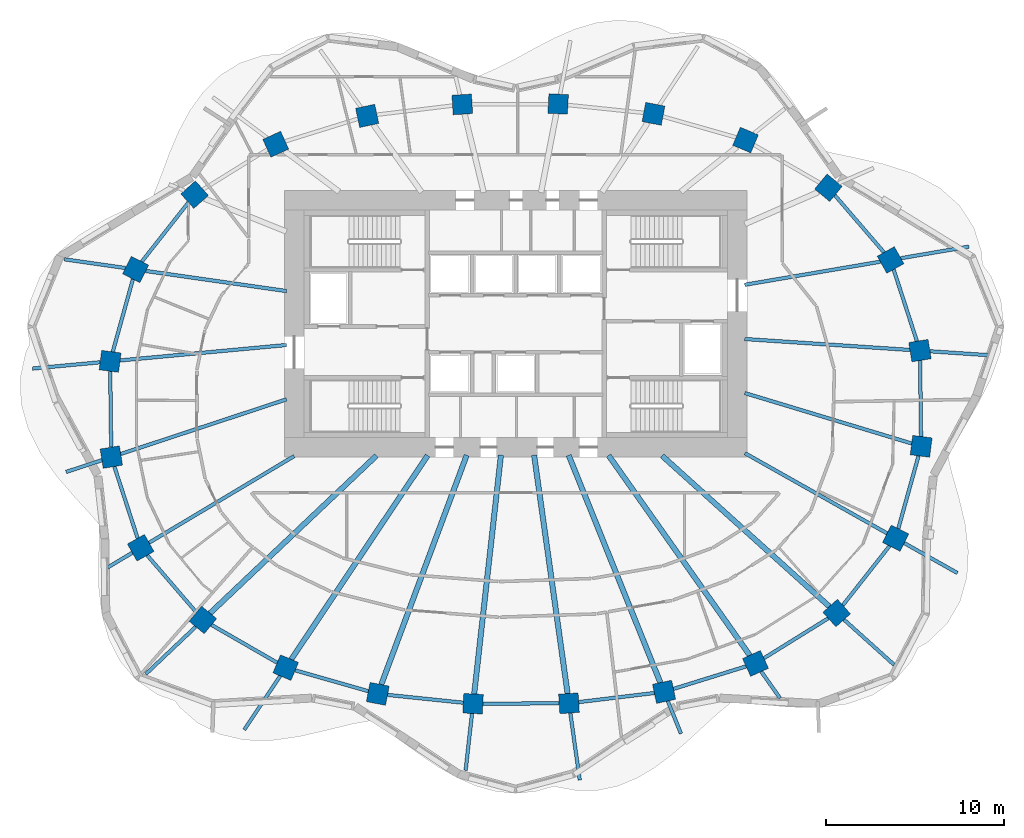
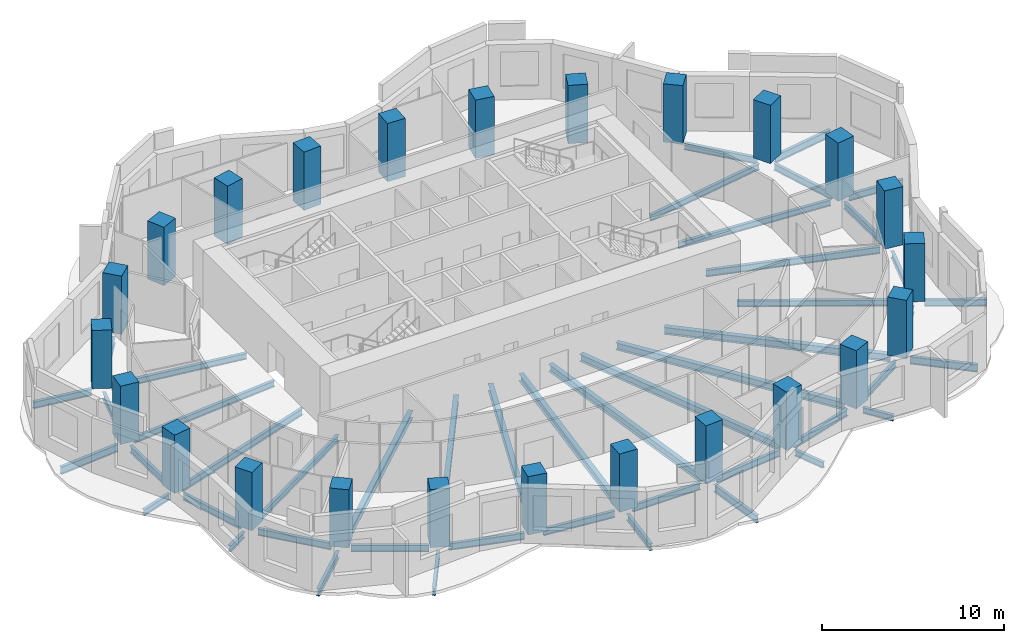
# One storey, part 1 of 10: 47 beams, 24 columns.
"""IFC4 building model written with IfcOpenShell, lengths in metres."""

from ifc_helpers import new_model, si_unit, direction, frame, origin, origin_2d, place, context, subcontext, project, spatial, rectangle, i_section, extrude, material, material_profile, profile_set, type_object, element, save


model = new_model("IFC4")

# Units and contexts
model_context = context("Model", 3, precision=1e-05, world=origin(), true_north=direction((0.0, 1.0)))
body_context = subcontext(model_context, "Body", "Model", "MODEL_VIEW")
ifc_project = project(units=[si_unit("LENGTHUNIT", "METRE"), si_unit("AREAUNIT", "SQUARE_METRE"), si_unit("VOLUMEUNIT", "CUBIC_METRE"), si_unit("PLANEANGLEUNIT", "RADIAN"), si_unit("MASSUNIT", "GRAM", prefix="KILO")], contexts=[model_context])

# Site, building, storey
site_placement = place(None, origin())
site = spatial("IfcSite", under=ifc_project, at=site_placement, CompositionType="ELEMENT")
building_placement = place(site_placement, origin())
building = spatial("IfcBuilding", under=site, at=building_placement, Name="Rubra Terraces Tower", CompositionType="ELEMENT")
storey_placement = place(building_placement, frame((0.0, 0.0, 157.800048828125)))
storey = spatial("IfcBuildingStorey", under=building, at=storey_placement, Name="L38", CompositionType="ELEMENT", Elevation=157.800048828125)

# Columns
ifc_material_1 = material(Name="Concrete C50", Category="concrete")
ifc_material_profile_1 = material_profile(ifc_material_1, rectangle(XDim=1.10009765625, YDim=1.10009765625, at=origin_2d()), Name="RC 1100x1100")
ifc_profile_set_1 = profile_set([ifc_material_profile_1], Name="Concrete C50")
column_type = type_object("IfcColumnType", Name="RING COLUMN RC 1100x1100 C50", PredefinedType="COLUMN", material=ifc_profile_set_1)
for number, where, z_axis, x_axis, name in (
    (1, (22.73388671875, 2.992919921875, 0.0), (0.0, 0.0, 1.0), (-0.162062155721, 0.986780551938, 0.0), "column-L38-ring-01"),
    (2, (21.0810546875, 8.090087890625, 0.0), (0.0, 0.0, 1.0), (-0.490161823029, 0.8716314515, 0.0), "column-L38-ring-02"),
    (3, (17.583984375, 12.15087890625, 0.0), (0.0, 0.0, 1.0), (-0.770679191336, 0.637223339216, 0.0), "column-L38-ring-03"),
    (4, (12.927001953125, 14.83203125, 0.0), (0.0, 0.0, 1.0), (-0.92110553102, 0.389312985558, 0.0), "column-L38-ring-04"),
    (5, (7.7509765625, 16.306884765625, 0.0), (0.0, 0.0, 1.0), (-0.981936574306, 0.189210369799, 0.0), "column-L38-ring-05"),
    (6, (2.39208984375, 16.862060546875, 0.0), (0.0, 0.0, 1.0), (-0.998791416829, 0.049149828786, 0.0), "column-L38-ring-06"),
    (7, (-2.9990234375, 16.8359375, 0.0), (0.0, 0.0, 1.0), (-0.998059443319, -0.062268351524, 0.0), "column-L38-ring-07"),
    (8, (-8.346923828125, 16.19189453125, 0.0), (0.0, 0.0, 1.0), (-0.977944102772, -0.208866780156, 0.0), "column-L38-ring-08"),
    (9, (-13.487060546875, 14.595947265625, 0.0), (0.0, 0.0, 1.0), (-0.90972649622, -0.415208022652, 0.0), "column-L38-ring-09"),
    (10, (-18.051025390625, 11.762939453125, 0.0), (0.0, 0.0, 1.0), (-0.7456420961, -0.66634665492, 0.0), "column-L38-ring-10"),
    (11, (-21.366943359375, 7.553955078125, 0.0), (0.0, 0.0, 1.0), (-0.452078869866, -0.891977968013, 0.0), "column-L38-ring-11"),
    (12, (-22.802001953125, 2.388916015625, 0.0), (0.0, 0.0, 1.0), (-0.128535191473, -0.991704948336, 0.0), "column-L38-ring-12"),
    (13, (-22.73388671875, -2.992919921875, 0.0), (0.0, 0.0, 1.0), (0.162062155721, -0.986780551938, 0.0), "column-L38-ring-13"),
    (14, (-21.0810546875, -8.090087890625, 0.0), (0.0, 0.0, 1.0), (0.490161823029, -0.8716314515, 0.0), "column-L38-ring-14"),
    (15, (-17.583984375, -12.15087890625, 0.0), (0.0, 0.0, 1.0), (0.770679191336, -0.637223339216, 0.0), "column-L38-ring-15"),
    (16, (-12.927001953125, -14.83203125, 0.0), (0.0, 0.0, 1.0), (0.92110553102, -0.389312985558, 0.0), "column-L38-ring-16"),
    (17, (-7.7509765625, -16.306884765625, 0.0), (0.0, 0.0, 1.0), (0.981936574306, -0.189210369799, 0.0), "column-L38-ring-17"),
    (18, (-2.39208984375, -16.862060546875, 0.0), (0.0, 0.0, 1.0), (0.998791416829, -0.049149828786, 0.0), "column-L38-ring-18"),
    (19, (2.9990234375, -16.8359375, 0.0), (0.0, 0.0, 1.0), (0.998059443319, 0.062268351524, 0.0), "column-L38-ring-19"),
    (20, (8.346923828125, -16.19189453125, 0.0), (0.0, 0.0, 1.0), (0.977944102772, 0.208866780156, 0.0), "column-L38-ring-20"),
    (21, (13.487060546875, -14.595947265625, 0.0), (0.0, 0.0, 1.0), (0.90972649622, 0.415208022652, 0.0), "column-L38-ring-21"),
    (22, (18.051025390625, -11.762939453125, 0.0), (0.0, 0.0, 1.0), (0.7456420961, 0.66634665492, 0.0), "column-L38-ring-22"),
    (23, (21.366943359375, -7.553955078125, 0.0), (0.0, 0.0, 1.0), (0.452078869866, 0.891977968013, 0.0), "column-L38-ring-23"),
    (24, (22.802001953125, -2.388916015625, 0.0), (0.0, 0.0, 1.0), (0.128535191473, 0.991704948336, 0.0), "column-L38-ring-24"),
):
    element("IfcColumn", number, at=place(storey_placement, frame(where, z_axis=z_axis, x_axis=x_axis)), inside=storey, type_object=column_type, Name=name, PredefinedType="COLUMN", context=body_context, shape_type="SweptSolid", body=[
        extrude(rectangle(XDim=1.10009765625, YDim=1.10009765625, at=origin_2d()), origin(), (0.0, 0.0, 1.0), 3.89990234375),
    ])

# Beams
ifc_material_2 = material(Name="Steel Q355B", Category="steel")
ifc_material_profile_2 = material_profile(ifc_material_2, i_section(OverallWidth=0.199951171875, OverallDepth=0.39990234375, WebThickness=0.008056640625, FlangeThickness=0.012939453125, at=origin_2d()), Name="HN 400x200x8x13")
ifc_profile_set_2 = profile_set([ifc_material_profile_2], Name="Steel Q355B")
beam_type_1 = type_object("IfcBeamType", Name="CANTILEVER BEAM HN 400x200x8x13", PredefinedType="BEAM", material=ifc_profile_set_2)
beam_1_placement = place(storey_placement, frame((-23.262939453125, -3.1669921875, -0.400146484375), z_axis=(-0.949759374295, -0.312981039264, 0.0), x_axis=(0.312981039264, -0.949759374295, 0.0)))
element("IfcBeam", 25, at=beam_1_placement, inside=storey, type_object=beam_type_1, Name="beam-L38-cant-13", PredefinedType="BEAM", context=body_context, shape_type="SweptSolid", body=[
    extrude(i_section(OverallWidth=0.199951171875, OverallDepth=0.39990234375, WebThickness=0.008056640625, FlangeThickness=0.012939453125, at=origin_2d()), origin(), (0.0, 0.0, 1.0), 2.121826171875),
])
beam_2_placement = place(storey_placement, frame((-21.552978515625, -8.3720703125, -0.400146484375), z_axis=(-0.858453448965, -0.512891485561, 0.0), x_axis=(0.512891485561, -0.858453448965, 0.0)))
element("IfcBeam", 26, at=beam_2_placement, inside=storey, type_object=beam_type_1, Name="beam-L38-cant-14", PredefinedType="BEAM", context=body_context, shape_type="SweptSolid", body=[
    extrude(i_section(OverallWidth=0.199951171875, OverallDepth=0.39990234375, WebThickness=0.008056640625, FlangeThickness=0.012939453125, at=origin_2d()), origin(), (0.0, 0.0, 1.0), 1.6123046875),
])
beam_3_placement = place(storey_placement, frame((8.555908203125, -16.7099609375, -0.400146484375), z_axis=(0.374177271319, -0.927357196353, 0.0), x_axis=(0.927357196353, 0.374177271319, 0.0)))
element("IfcBeam", 27, at=beam_3_placement, inside=storey, type_object=beam_type_1, Name="beam-L38-cant-20", PredefinedType="BEAM", context=body_context, shape_type="SweptSolid", body=[
    extrude(i_section(OverallWidth=0.199951171875, OverallDepth=0.39990234375, WebThickness=0.008056640625, FlangeThickness=0.012939453125, at=origin_2d()), origin(), (0.0, 0.0, 1.0), 1.9775390625),
])
beam_4_placement = place(storey_placement, frame((13.81005859375, -15.052978515625, -0.400146484375), z_axis=(0.576772284396, -0.816904971188, 0.0), x_axis=(0.816904971188, 0.576772284396, 0.0)))
element("IfcBeam", 28, at=beam_4_placement, inside=storey, type_object=beam_type_1, Name="beam-L38-cant-21", PredefinedType="BEAM", context=body_context, shape_type="SweptSolid", body=[
    extrude(i_section(OverallWidth=0.199951171875, OverallDepth=0.39990234375, WebThickness=0.008056640625, FlangeThickness=0.012939453125, at=origin_2d()), origin(), (0.0, 0.0, 1.0), 1.8291015625),
])
ifc_material_profile_3 = material_profile(ifc_material_2, i_section(OverallWidth=0.198974609375, OverallDepth=0.446044921875, WebThickness=0.008056640625, FlangeThickness=0.011962890625, at=origin_2d()), Name="HN 446x199x8x12")
ifc_profile_set_3 = profile_set([ifc_material_profile_3], Name="Steel Q355B")
beam_type_2 = type_object("IfcBeamType", Name="CANTILEVER BEAM HN 446x199x8x12", PredefinedType="BEAM", material=ifc_profile_set_3)
beam_5_placement = place(storey_placement, frame((23.298095703125, 2.9560546875, -0.423095703125), z_axis=(0.997798550181, -0.066317820059, 0.0), x_axis=(0.066317820059, 0.997798550181, 0.0)))
element("IfcBeam", 29, at=beam_5_placement, inside=storey, type_object=beam_type_2, Name="beam-L38-cant-01", PredefinedType="BEAM", context=body_context, shape_type="SweptSolid", body=[
    extrude(i_section(OverallWidth=0.198974609375, OverallDepth=0.446044921875, WebThickness=0.008056640625, FlangeThickness=0.011962890625, at=origin_2d()), origin(), (0.0, 0.0, 1.0), 3.30224609375),
])
beam_6_placement = place(storey_placement, frame((-21.94189453125, 7.635986328125, -0.423095703125), z_axis=(-0.989939621463, 0.141490444401, 0.0), x_axis=(-0.141490444401, -0.989939621463, 0.0)))
element("IfcBeam", 30, at=beam_6_placement, inside=storey, type_object=beam_type_2, Name="beam-L38-cant-11", PredefinedType="BEAM", context=body_context, shape_type="SweptSolid", body=[
    extrude(i_section(OverallWidth=0.198974609375, OverallDepth=0.446044921875, WebThickness=0.008056640625, FlangeThickness=0.011962890625, at=origin_2d()), origin(), (0.0, 0.0, 1.0), 3.463134765625),
])
beam_7_placement = place(storey_placement, frame((-2.452880859375, -17.409912109375, -0.423095703125), z_axis=(-0.11136465421, -0.993779610272, 0.0), x_axis=(0.993779610272, -0.11136465421, 0.0)))
element("IfcBeam", 31, at=beam_7_placement, inside=storey, type_object=beam_type_2, Name="beam-L38-cant-18", PredefinedType="BEAM", context=body_context, shape_type="SweptSolid", body=[
    extrude(i_section(OverallWidth=0.198974609375, OverallDepth=0.446044921875, WebThickness=0.008056640625, FlangeThickness=0.011962890625, at=origin_2d()), origin(), (0.0, 0.0, 1.0), 3.216064453125),
])
beam_8_placement = place(storey_placement, frame((21.846923828125, -7.824951171875, -0.423095703125), z_axis=(0.871003430184, -0.491276932705, 0.0), x_axis=(0.491276932705, 0.871003430184, 0.0)))
element("IfcBeam", 32, at=beam_8_placement, inside=storey, type_object=beam_type_2, Name="beam-L38-cant-23", PredefinedType="BEAM", context=body_context, shape_type="SweptSolid", body=[
    extrude(i_section(OverallWidth=0.198974609375, OverallDepth=0.446044921875, WebThickness=0.008056640625, FlangeThickness=0.011962890625, at=origin_2d()), origin(), (0.0, 0.0, 1.0), 3.433837890625),
])
ifc_material_profile_4 = material_profile(ifc_material_2, i_section(OverallWidth=0.198974609375, OverallDepth=0.49609375, WebThickness=0.009033203125, FlangeThickness=0.013916015625, at=origin_2d()), Name="HN 496x199x9x14")
ifc_profile_set_4 = profile_set([ifc_material_profile_4], Name="Steel Q355B")
beam_type_3 = type_object("IfcBeamType", Name="CANTILEVER BEAM HN 496x199x9x14", PredefinedType="BEAM", material=ifc_profile_set_4)
beam_9_placement = place(storey_placement, frame((21.656982421875, 8.18798828125, -0.447998046875), z_axis=(0.985806786827, 0.16788382604, 0.0), x_axis=(-0.16788382604, 0.985806786827, 0.0)))
element("IfcBeam", 33, at=beam_9_placement, inside=storey, type_object=beam_type_3, Name="beam-L38-cant-02", PredefinedType="BEAM", context=body_context, shape_type="SweptSolid", body=[
    extrude(i_section(OverallWidth=0.198974609375, OverallDepth=0.49609375, WebThickness=0.009033203125, FlangeThickness=0.013916015625, at=origin_2d()), origin(), (0.0, 0.0, 1.0), 3.88427734375),
])
beam_10_placement = place(storey_placement, frame((-23.363037109375, 2.3369140625, -0.447998046875), z_axis=(-0.995741870342, -0.092185289763, 0.0), x_axis=(0.092185289763, -0.995741870342, 0.0)))
element("IfcBeam", 34, at=beam_10_placement, inside=storey, type_object=beam_type_3, Name="beam-L38-cant-12", PredefinedType="BEAM", context=body_context, shape_type="SweptSolid", body=[
    extrude(i_section(OverallWidth=0.198974609375, OverallDepth=0.49609375, WebThickness=0.009033203125, FlangeThickness=0.013916015625, at=origin_2d()), origin(), (0.0, 0.0, 1.0), 3.81640625),
])
beam_11_placement = place(storey_placement, frame((-17.986083984375, -12.531982421875, -0.447998046875), z_axis=(-0.726120399641, -0.687567571389, 0.0), x_axis=(0.687567571389, -0.726120399641, 0.0)))
element("IfcBeam", 35, at=beam_11_placement, inside=storey, type_object=beam_type_3, Name="beam-L38-cant-15", PredefinedType="BEAM", context=body_context, shape_type="SweptSolid", body=[
    extrude(i_section(OverallWidth=0.198974609375, OverallDepth=0.49609375, WebThickness=0.009033203125, FlangeThickness=0.013916015625, at=origin_2d()), origin(), (0.0, 0.0, 1.0), 3.86279296875),
])
beam_12_placement = place(storey_placement, frame((-13.238037109375, -15.298095703125, -0.447998046875), z_axis=(-0.555843573912, -0.831286906754, 0.0), x_axis=(0.831286906754, -0.555843573912, 0.0)))
element("IfcBeam", 36, at=beam_12_placement, inside=storey, type_object=beam_type_3, Name="beam-L38-cant-16", PredefinedType="BEAM", context=body_context, shape_type="SweptSolid", body=[
    extrude(i_section(OverallWidth=0.198974609375, OverallDepth=0.49609375, WebThickness=0.009033203125, FlangeThickness=0.013916015625, at=origin_2d()), origin(), (0.0, 0.0, 1.0), 3.644775390625),
])
beam_13_placement = place(storey_placement, frame((3.075927734375, -17.382080078125, -0.447998046875), z_axis=(0.139115411885, -0.990276174699, 0.0), x_axis=(0.990276174699, 0.139115411885, 0.0)))
element("IfcBeam", 37, at=beam_13_placement, inside=storey, type_object=beam_type_3, Name="beam-L38-cant-19", PredefinedType="BEAM", context=body_context, shape_type="SweptSolid", body=[
    extrude(i_section(OverallWidth=0.198974609375, OverallDepth=0.49609375, WebThickness=0.009033203125, FlangeThickness=0.013916015625, at=origin_2d()), origin(), (0.0, 0.0, 1.0), 3.81005859375),
])
beam_14_placement = place(storey_placement, frame((18.4619140625, -12.133056640625, -0.447998046875), z_axis=(0.743022306615, -0.669266652294, 0.0), x_axis=(0.669266652294, 0.743022306615, 0.0)))
element("IfcBeam", 38, at=beam_14_placement, inside=storey, type_object=beam_type_3, Name="beam-L38-cant-22", PredefinedType="BEAM", context=body_context, shape_type="SweptSolid", body=[
    extrude(i_section(OverallWidth=0.198974609375, OverallDepth=0.49609375, WebThickness=0.009033203125, FlangeThickness=0.013916015625, at=origin_2d()), origin(), (0.0, 0.0, 1.0), 3.796630859375),
])
ifc_material_profile_5 = material_profile(ifc_material_2, i_section(OverallWidth=0.300048828125, OverallDepth=0.48193359375, WebThickness=0.010986328125, FlangeThickness=0.014892578125, at=origin_2d()), Name="HM 482x300x11x15")
ifc_profile_set_5 = profile_set([ifc_material_profile_5], Name="Steel Q355B")
beam_type_4 = type_object("IfcBeamType", Name="FLOOR BEAM HM 482x300x11x15", PredefinedType="BEAM", material=ifc_profile_set_5)
beam_15_placement = place(storey_placement, frame((-17.181884765625, -11.77001953125, -0.441162109375), z_axis=(0.726100153208, 0.687588952436, 0.0), x_axis=(-0.687588952436, 0.726100153208, 0.0)))
element("IfcBeam", 39, at=beam_15_placement, inside=storey, type_object=beam_type_4, Name="beam-L38-floor-15", PredefinedType="BEAM", context=body_context, shape_type="SweptSolid", body=[
    extrude(i_section(OverallWidth=0.300048828125, OverallDepth=0.48193359375, WebThickness=0.010986328125, FlangeThickness=0.014892578125, at=origin_2d()), origin(), (0.0, 0.0, 1.0), 12.87548828125),
])
beam_16_placement = place(storey_placement, frame((-12.615966796875, -14.365966796875, -0.441162109375), z_axis=(0.555900449773, 0.831248873649, 0.0), x_axis=(-0.831248873649, 0.555900449773, 0.0)))
element("IfcBeam", 40, at=beam_16_placement, inside=storey, type_object=beam_type_4, Name="beam-L38-floor-16", PredefinedType="BEAM", context=body_context, shape_type="SweptSolid", body=[
    extrude(i_section(OverallWidth=0.300048828125, OverallDepth=0.48193359375, WebThickness=0.010986328125, FlangeThickness=0.014892578125, at=origin_2d()), origin(), (0.0, 0.0, 1.0), 13.793701171875),
])
beam_17_placement = place(storey_placement, frame((-7.555908203125, -15.783935546875, -0.441162109375), z_axis=(0.349081226263, 0.937092470075, 0.0), x_axis=(-0.937092470075, 0.349081226263, 0.0)))
element("IfcBeam", 41, at=beam_17_placement, inside=storey, type_object=beam_type_4, Name="beam-L38-floor-17", PredefinedType="BEAM", context=body_context, shape_type="SweptSolid", body=[
    extrude(i_section(OverallWidth=0.300048828125, OverallDepth=0.48193359375, WebThickness=0.010986328125, FlangeThickness=0.014892578125, at=origin_2d()), origin(), (0.0, 0.0, 1.0), 13.76171875),
])
beam_18_placement = place(storey_placement, frame((-2.3310546875, -16.31396484375, -0.441162109375), z_axis=(0.111351311584, 0.993781105379, 0.0), x_axis=(-0.993781105379, 0.111351311584, 0.0)))
element("IfcBeam", 42, at=beam_18_placement, inside=storey, type_object=beam_type_4, Name="beam-L38-floor-18", PredefinedType="BEAM", context=body_context, shape_type="SweptSolid", body=[
    extrude(i_section(OverallWidth=0.300048828125, OverallDepth=0.48193359375, WebThickness=0.010986328125, FlangeThickness=0.014892578125, at=origin_2d()), origin(), (0.0, 0.0, 1.0), 13.516845703125),
])
beam_19_placement = place(storey_placement, frame((2.922119140625, -16.2900390625, -0.441162109375), z_axis=(-0.139139078011, 0.990272849759, 0.0), x_axis=(-0.990272849759, -0.139139078011, 0.0)))
element("IfcBeam", 43, at=beam_19_placement, inside=storey, type_object=beam_type_4, Name="beam-L38-floor-19", PredefinedType="BEAM", context=body_context, shape_type="SweptSolid", body=[
    extrude(i_section(OverallWidth=0.300048828125, OverallDepth=0.48193359375, WebThickness=0.010986328125, FlangeThickness=0.014892578125, at=origin_2d()), origin(), (0.0, 0.0, 1.0), 13.54052734375),
])
beam_20_placement = place(storey_placement, frame((8.137939453125, -15.674072265625, -0.441162109375), z_axis=(-0.374072995757, 0.927399263449, 0.0), x_axis=(-0.927399263449, -0.374072995757, 0.0)))
element("IfcBeam", 44, at=beam_20_placement, inside=storey, type_object=beam_type_4, Name="beam-L38-floor-20", PredefinedType="BEAM", context=body_context, shape_type="SweptSolid", body=[
    extrude(i_section(OverallWidth=0.300048828125, OverallDepth=0.48193359375, WebThickness=0.010986328125, FlangeThickness=0.014892578125, at=origin_2d()), origin(), (0.0, 0.0, 1.0), 13.7861328125),
])
beam_21_placement = place(storey_placement, frame((13.1640625, -14.138916015625, -0.441162109375), z_axis=(-0.576885242087, 0.816825206187, 0.0), x_axis=(-0.816825206187, -0.576885242087, 0.0)))
element("IfcBeam", 45, at=beam_21_placement, inside=storey, type_object=beam_type_4, Name="beam-L38-floor-21", PredefinedType="BEAM", context=body_context, shape_type="SweptSolid", body=[
    extrude(i_section(OverallWidth=0.300048828125, OverallDepth=0.48193359375, WebThickness=0.010986328125, FlangeThickness=0.014892578125, at=origin_2d()), origin(), (0.0, 0.0, 1.0), 13.756591796875),
])
beam_22_placement = place(storey_placement, frame((17.639892578125, -11.39306640625, -0.441162109375), z_axis=(-0.742946892742, 0.669350367569, 0.0), x_axis=(-0.669350367569, -0.742946892742, 0.0)))
element("IfcBeam", 46, at=beam_22_placement, inside=storey, type_object=beam_type_4, Name="beam-L38-floor-22", PredefinedType="BEAM", context=body_context, shape_type="SweptSolid", body=[
    extrude(i_section(OverallWidth=0.300048828125, OverallDepth=0.48193359375, WebThickness=0.010986328125, FlangeThickness=0.014892578125, at=origin_2d()), origin(), (0.0, 0.0, 1.0), 12.65869140625),
])
ifc_material_profile_6 = material_profile(ifc_material_2, i_section(OverallWidth=0.199951171875, OverallDepth=0.39990234375, WebThickness=0.008056640625, FlangeThickness=0.012939453125, at=origin_2d()), Name="HN 400x200x8x13")
ifc_profile_set_6 = profile_set([ifc_material_profile_6], Name="Steel Q355B")
beam_type_5 = type_object("IfcBeamType", Name="FLOOR BEAM HN 400x200x8x13", PredefinedType="BEAM", material=ifc_profile_set_6)
beam_23_placement = place(storey_placement, frame((22.169921875, 3.030029296875, -0.400146484375), z_axis=(-0.997809110543, 0.0661587403, 0.0), x_axis=(-0.0661587403, -0.997809110543, 0.0)))
element("IfcBeam", 47, at=beam_23_placement, inside=storey, type_object=beam_type_5, Name="beam-L38-floor-01", PredefinedType="BEAM", context=body_context, shape_type="SweptSolid", body=[
    extrude(i_section(OverallWidth=0.199951171875, OverallDepth=0.39990234375, WebThickness=0.008056640625, FlangeThickness=0.012939453125, at=origin_2d()), origin(), (0.0, 0.0, 1.0), 9.310546875),
])
beam_24_placement = place(storey_placement, frame((20.5048828125, 7.991943359375, -0.400146484375), z_axis=(-0.985813612303, -0.167843742209, 0.0), x_axis=(0.167843742209, -0.985813612303, 0.0)))
element("IfcBeam", 48, at=beam_24_placement, inside=storey, type_object=beam_type_5, Name="beam-L38-floor-02", PredefinedType="BEAM", context=body_context, shape_type="SweptSolid", body=[
    extrude(i_section(OverallWidth=0.199951171875, OverallDepth=0.39990234375, WebThickness=0.008056640625, FlangeThickness=0.012939453125, at=origin_2d()), origin(), (0.0, 0.0, 1.0), 7.732421875),
])
beam_25_placement = place(storey_placement, frame((-20.7919921875, 7.471923828125, -0.400146484375), z_axis=(0.989936658262, -0.141511174924, 0.0), x_axis=(0.141511174924, 0.989936658262, 0.0)))
element("IfcBeam", 49, at=beam_25_placement, inside=storey, type_object=beam_type_5, Name="beam-L38-floor-11", PredefinedType="BEAM", context=body_context, shape_type="SweptSolid", body=[
    extrude(i_section(OverallWidth=0.199951171875, OverallDepth=0.39990234375, WebThickness=0.008056640625, FlangeThickness=0.012939453125, at=origin_2d()), origin(), (0.0, 0.0, 1.0), 7.9912109375),
])
beam_26_placement = place(storey_placement, frame((-22.240966796875, 2.44091796875, -0.400146484375), z_axis=(0.995735462061, 0.092254482791, 0.0), x_axis=(-0.092254482791, 0.995735462061, 0.0)))
element("IfcBeam", 50, at=beam_26_placement, inside=storey, type_object=beam_type_5, Name="beam-L38-floor-12", PredefinedType="BEAM", context=body_context, shape_type="SweptSolid", body=[
    extrude(i_section(OverallWidth=0.199951171875, OverallDepth=0.39990234375, WebThickness=0.008056640625, FlangeThickness=0.012939453125, at=origin_2d()), origin(), (0.0, 0.0, 1.0), 9.39990234375),
])
beam_27_placement = place(storey_placement, frame((-20.60888671875, -7.80810546875, -0.400146484375), z_axis=(0.858520950698, 0.51277848747, 0.0), x_axis=(-0.51277848747, 0.858520950698, 0.0)))
element("IfcBeam", 51, at=beam_27_placement, inside=storey, type_object=beam_type_5, Name="beam-L38-floor-14", PredefinedType="BEAM", context=body_context, shape_type="SweptSolid", body=[
    extrude(i_section(OverallWidth=0.199951171875, OverallDepth=0.39990234375, WebThickness=0.008056640625, FlangeThickness=0.012939453125, at=origin_2d()), origin(), (0.0, 0.0, 1.0), 9.49755859375),
])
beam_28_placement = place(storey_placement, frame((20.886962890625, -7.282958984375, -0.400146484375), z_axis=(-0.870988685804, 0.491303072656, 0.0), x_axis=(-0.491303072656, -0.870988685804, 0.0)))
element("IfcBeam", 52, at=beam_28_placement, inside=storey, type_object=beam_type_5, Name="beam-L38-floor-23", PredefinedType="BEAM", context=body_context, shape_type="SweptSolid", body=[
    extrude(i_section(OverallWidth=0.199951171875, OverallDepth=0.39990234375, WebThickness=0.008056640625, FlangeThickness=0.012939453125, at=origin_2d()), origin(), (0.0, 0.0, 1.0), 9.17578125),
])
ifc_material_profile_7 = material_profile(ifc_material_2, i_section(OverallWidth=0.198974609375, OverallDepth=0.446044921875, WebThickness=0.008056640625, FlangeThickness=0.011962890625, at=origin_2d()), Name="HN 446x199x8x12")
ifc_profile_set_7 = profile_set([ifc_material_profile_7], Name="Steel Q355B")
beam_type_6 = type_object("IfcBeamType", Name="FLOOR BEAM HN 446x199x8x12", PredefinedType="BEAM", material=ifc_profile_set_7)
beam_29_placement = place(storey_placement, frame((-22.205078125, -2.819091796875, -0.423095703125), z_axis=(0.949728041792, 0.313076103583, 0.0), x_axis=(-0.313076103583, 0.949728041792, 0.0)))
element("IfcBeam", 53, at=beam_29_placement, inside=storey, type_object=beam_type_6, Name="beam-L38-floor-13", PredefinedType="BEAM", context=body_context, shape_type="SweptSolid", body=[
    extrude(i_section(OverallWidth=0.198974609375, OverallDepth=0.446044921875, WebThickness=0.008056640625, FlangeThickness=0.011962890625, at=origin_2d()), origin(), (0.0, 0.0, 1.0), 9.8125),
])
beam_30_placement = place(storey_placement, frame((22.26806640625, -2.22802734375, -0.423095703125), z_axis=(-0.957261634756, 0.289223378419, 0.0), x_axis=(-0.289223378419, -0.957261634756, 0.0)))
element("IfcBeam", 54, at=beam_30_placement, inside=storey, type_object=beam_type_6, Name="beam-L38-floor-24", PredefinedType="BEAM", context=body_context, shape_type="SweptSolid", body=[
    extrude(i_section(OverallWidth=0.198974609375, OverallDepth=0.446044921875, WebThickness=0.008056640625, FlangeThickness=0.011962890625, at=origin_2d()), origin(), (0.0, 0.0, 1.0), 9.802001953125),
])
ifc_material_profile_8 = material_profile(ifc_material_2, i_section(OverallWidth=0.198974609375, OverallDepth=0.446044921875, WebThickness=0.008056640625, FlangeThickness=0.011962890625, at=origin_2d()), Name="HN 446x199x8x12")
ifc_profile_set_8 = profile_set([ifc_material_profile_8], Name="Steel Q355B")
beam_type_7 = type_object("IfcBeamType", Name="SPANDREL BEAM HN 446x199x8x12", PredefinedType="SPANDREL", material=ifc_profile_set_8)
beam_31_placement = place(storey_placement, frame((22.56201171875, 3.52197265625, -0.423095703125), z_axis=(-0.308462461648, 0.951236516201, 0.0), x_axis=(-0.951236516201, -0.308462461648, 0.0)))
element("IfcBeam", 55, at=beam_31_placement, inside=storey, type_object=beam_type_7, Name="beam-L38-spandrel-01", PredefinedType="SPANDREL", context=body_context, shape_type="SweptSolid", body=[
    extrude(i_section(OverallWidth=0.198974609375, OverallDepth=0.446044921875, WebThickness=0.008056640625, FlangeThickness=0.011962890625, at=origin_2d()), origin(), (0.0, 0.0, 1.0), 4.24072265625),
])
beam_32_placement = place(storey_placement, frame((20.715087890625, 8.514892578125, -0.423095703125), z_axis=(-0.65255344008, 0.757742705567, 0.0), x_axis=(-0.757742705567, -0.65255344008, 0.0)))
element("IfcBeam", 56, at=beam_32_placement, inside=storey, type_object=beam_type_7, Name="beam-L38-spandrel-02", PredefinedType="SPANDREL", context=body_context, shape_type="SweptSolid", body=[
    extrude(i_section(OverallWidth=0.198974609375, OverallDepth=0.446044921875, WebThickness=0.008056640625, FlangeThickness=0.011962890625, at=origin_2d()), origin(), (0.0, 0.0, 1.0), 4.240478515625),
])
beam_33_placement = place(storey_placement, frame((-18.39697265625, 11.323974609375, -0.423095703125), z_axis=(-0.618917461688, -0.785456030353, 0.0), x_axis=(0.785456030353, -0.618917461688, 0.0)))
element("IfcBeam", 57, at=beam_33_placement, inside=storey, type_object=beam_type_7, Name="beam-L38-spandrel-10", PredefinedType="SPANDREL", context=body_context, shape_type="SweptSolid", body=[
    extrude(i_section(OverallWidth=0.198974609375, OverallDepth=0.446044921875, WebThickness=0.008056640625, FlangeThickness=0.011962890625, at=origin_2d()), origin(), (0.0, 0.0, 1.0), 4.238037109375),
])
beam_34_placement = place(storey_placement, frame((-21.51708984375, 7.013916015625, -0.423095703125), z_axis=(-0.267626064819, -0.96352285361, 0.0), x_axis=(0.96352285361, -0.267626064819, 0.0)))
element("IfcBeam", 58, at=beam_34_placement, inside=storey, type_object=beam_type_7, Name="beam-L38-spandrel-11", PredefinedType="SPANDREL", context=body_context, shape_type="SweptSolid", body=[
    extrude(i_section(OverallWidth=0.198974609375, OverallDepth=0.446044921875, WebThickness=0.008056640625, FlangeThickness=0.011962890625, at=origin_2d()), origin(), (0.0, 0.0, 1.0), 4.24462890625),
])
beam_35_placement = place(storey_placement, frame((-22.794921875, 1.8330078125, -0.423095703125), z_axis=(0.012634783266, -0.99992017794, 0.0), x_axis=(0.99992017794, 0.012634783266, 0.0)))
element("IfcBeam", 59, at=beam_35_placement, inside=storey, type_object=beam_type_7, Name="beam-L38-spandrel-12", PredefinedType="SPANDREL", context=body_context, shape_type="SweptSolid", body=[
    extrude(i_section(OverallWidth=0.198974609375, OverallDepth=0.446044921875, WebThickness=0.008056640625, FlangeThickness=0.011962890625, at=origin_2d()), origin(), (0.0, 0.0, 1.0), 4.270263671875),
])
beam_36_placement = place(storey_placement, frame((-22.56201171875, -3.52197265625, -0.423095703125), z_axis=(0.308462461648, -0.951236516201, 0.0), x_axis=(0.951236516201, 0.308462461648, 0.0)))
element("IfcBeam", 60, at=beam_36_placement, inside=storey, type_object=beam_type_7, Name="beam-L38-spandrel-13", PredefinedType="SPANDREL", context=body_context, shape_type="SweptSolid", body=[
    extrude(i_section(OverallWidth=0.198974609375, OverallDepth=0.446044921875, WebThickness=0.008056640625, FlangeThickness=0.011962890625, at=origin_2d()), origin(), (0.0, 0.0, 1.0), 4.24072265625),
])
beam_37_placement = place(storey_placement, frame((-20.715087890625, -8.514892578125, -0.423095703125), z_axis=(0.65255344008, -0.757742705567, 0.0), x_axis=(0.757742705567, 0.65255344008, 0.0)))
element("IfcBeam", 61, at=beam_37_placement, inside=storey, type_object=beam_type_7, Name="beam-L38-spandrel-14", PredefinedType="SPANDREL", context=body_context, shape_type="SweptSolid", body=[
    extrude(i_section(OverallWidth=0.198974609375, OverallDepth=0.446044921875, WebThickness=0.008056640625, FlangeThickness=0.011962890625, at=origin_2d()), origin(), (0.0, 0.0, 1.0), 4.240478515625),
])
beam_38_placement = place(storey_placement, frame((-17.10009765625, -12.428955078125, -0.423095703125), z_axis=(0.866560147027, -0.49907265161, 0.0), x_axis=(0.49907265161, 0.866560147027, 0.0)))
element("IfcBeam", 62, at=beam_38_placement, inside=storey, type_object=beam_type_7, Name="beam-L38-spandrel-15", PredefinedType="SPANDREL", context=body_context, shape_type="SweptSolid", body=[
    extrude(i_section(OverallWidth=0.198974609375, OverallDepth=0.446044921875, WebThickness=0.008056640625, FlangeThickness=0.011962890625, at=origin_2d()), origin(), (0.0, 0.0, 1.0), 4.26171875),
])
beam_39_placement = place(storey_placement, frame((-12.39404296875, -14.98388671875, -0.423095703125), z_axis=(0.961693978406, -0.274125321518, 0.0), x_axis=(0.274125321518, 0.961693978406, 0.0)))
element("IfcBeam", 63, at=beam_39_placement, inside=storey, type_object=beam_type_7, Name="beam-L38-spandrel-16", PredefinedType="SPANDREL", context=body_context, shape_type="SweptSolid", body=[
    extrude(i_section(OverallWidth=0.198974609375, OverallDepth=0.446044921875, WebThickness=0.008056640625, FlangeThickness=0.011962890625, at=origin_2d()), origin(), (0.0, 0.0, 1.0), 4.27587890625),
])
beam_40_placement = place(storey_placement, frame((-7.201904296875, -16.364013671875, -0.423095703125), z_axis=(0.994691190497, -0.102904983103, 0.0), x_axis=(0.102904983103, 0.994691190497, 0.0)))
element("IfcBeam", 64, at=beam_40_placement, inside=storey, type_object=beam_type_7, Name="beam-L38-spandrel-17", PredefinedType="SPANDREL", context=body_context, shape_type="SweptSolid", body=[
    extrude(i_section(OverallWidth=0.198974609375, OverallDepth=0.446044921875, WebThickness=0.008056640625, FlangeThickness=0.011962890625, at=origin_2d()), origin(), (0.0, 0.0, 1.0), 4.28466796875),
])
beam_41_placement = place(storey_placement, frame((-1.841064453125, -16.85888671875, -0.423095703125), z_axis=(0.999989371096, 0.004610606731, 0.0), x_axis=(-0.004610606731, 0.999989371096, 0.0)))
element("IfcBeam", 65, at=beam_41_placement, inside=storey, type_object=beam_type_7, Name="beam-L38-spandrel-18", PredefinedType="SPANDREL", context=body_context, shape_type="SweptSolid", body=[
    extrude(i_section(OverallWidth=0.198974609375, OverallDepth=0.446044921875, WebThickness=0.008056640625, FlangeThickness=0.011962890625, at=origin_2d()), origin(), (0.0, 0.0, 1.0), 4.2890625),
])
beam_42_placement = place(storey_placement, frame((3.5458984375, -16.77001953125, -0.423095703125), z_axis=(0.992833084949, 0.119509269223, 0.0), x_axis=(-0.119509269223, 0.992833084949, 0.0)))
element("IfcBeam", 66, at=beam_42_placement, inside=storey, type_object=beam_type_7, Name="beam-L38-spandrel-19", PredefinedType="SPANDREL", context=body_context, shape_type="SweptSolid", body=[
    extrude(i_section(OverallWidth=0.198974609375, OverallDepth=0.446044921875, WebThickness=0.008056640625, FlangeThickness=0.011962890625, at=origin_2d()), origin(), (0.0, 0.0, 1.0), 4.283935546875),
])
beam_43_placement = place(storey_placement, frame((8.8740234375, -16.028076171875, -0.423095703125), z_axis=(0.955002801089, 0.296596780008, 0.0), x_axis=(-0.296596780008, 0.955002801089, 0.0)))
element("IfcBeam", 67, at=beam_43_placement, inside=storey, type_object=beam_type_7, Name="beam-L38-spandrel-20", PredefinedType="SPANDREL", context=body_context, shape_type="SweptSolid", body=[
    extrude(i_section(OverallWidth=0.198974609375, OverallDepth=0.446044921875, WebThickness=0.008056640625, FlangeThickness=0.011962890625, at=origin_2d()), origin(), (0.0, 0.0, 1.0), 4.275390625),
])
beam_44_placement = place(storey_placement, frame((13.9580078125, -14.303955078125, -0.423095703125), z_axis=(0.849549830498, 0.527508374816, 0.0), x_axis=(-0.527508374816, 0.849549830498, 0.0)))
element("IfcBeam", 68, at=beam_44_placement, inside=storey, type_object=beam_type_7, Name="beam-L38-spandrel-21", PredefinedType="SPANDREL", context=body_context, shape_type="SweptSolid", body=[
    extrude(i_section(OverallWidth=0.198974609375, OverallDepth=0.446044921875, WebThickness=0.008056640625, FlangeThickness=0.011962890625, at=origin_2d()), origin(), (0.0, 0.0, 1.0), 4.259765625),
])
beam_45_placement = place(storey_placement, frame((18.39697265625, -11.323974609375, -0.423095703125), z_axis=(0.618917461688, 0.785456030353, 0.0), x_axis=(-0.785456030353, 0.618917461688, 0.0)))
element("IfcBeam", 69, at=beam_45_placement, inside=storey, type_object=beam_type_7, Name="beam-L38-spandrel-22", PredefinedType="SPANDREL", context=body_context, shape_type="SweptSolid", body=[
    extrude(i_section(OverallWidth=0.198974609375, OverallDepth=0.446044921875, WebThickness=0.008056640625, FlangeThickness=0.011962890625, at=origin_2d()), origin(), (0.0, 0.0, 1.0), 4.238037109375),
])
beam_46_placement = place(storey_placement, frame((21.51708984375, -7.013916015625, -0.423095703125), z_axis=(0.267626064819, 0.96352285361, 0.0), x_axis=(-0.96352285361, 0.267626064819, 0.0)))
element("IfcBeam", 70, at=beam_46_placement, inside=storey, type_object=beam_type_7, Name="beam-L38-spandrel-23", PredefinedType="SPANDREL", context=body_context, shape_type="SweptSolid", body=[
    extrude(i_section(OverallWidth=0.198974609375, OverallDepth=0.446044921875, WebThickness=0.008056640625, FlangeThickness=0.011962890625, at=origin_2d()), origin(), (0.0, 0.0, 1.0), 4.24462890625),
])
beam_47_placement = place(storey_placement, frame((22.794921875, -1.8330078125, -0.423095703125), z_axis=(-0.012634783266, 0.99992017794, 0.0), x_axis=(-0.99992017794, -0.012634783266, 0.0)))
element("IfcBeam", 71, at=beam_47_placement, inside=storey, type_object=beam_type_7, Name="beam-L38-spandrel-24", PredefinedType="SPANDREL", context=body_context, shape_type="SweptSolid", body=[
    extrude(i_section(OverallWidth=0.198974609375, OverallDepth=0.446044921875, WebThickness=0.008056640625, FlangeThickness=0.011962890625, at=origin_2d()), origin(), (0.0, 0.0, 1.0), 4.270263671875),
])

save(model, "model.ifc")
